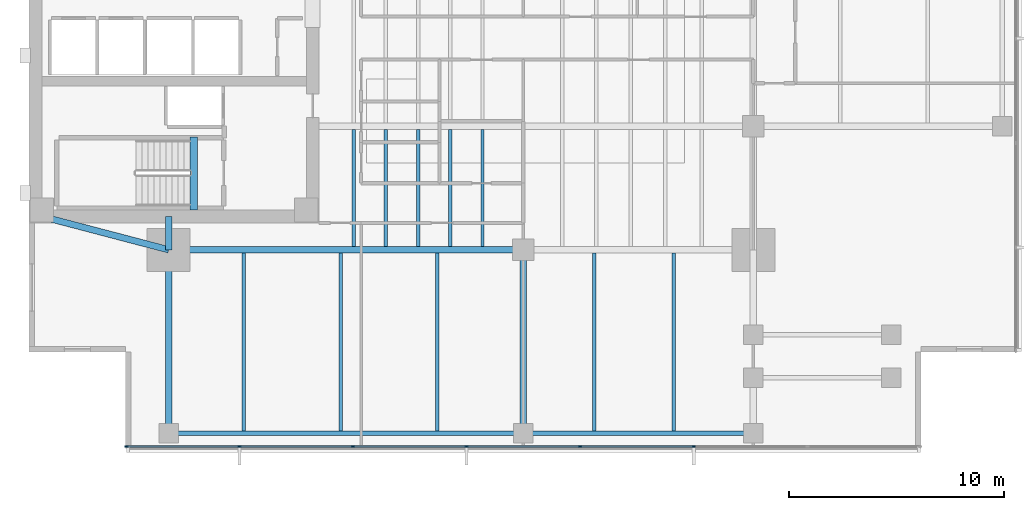
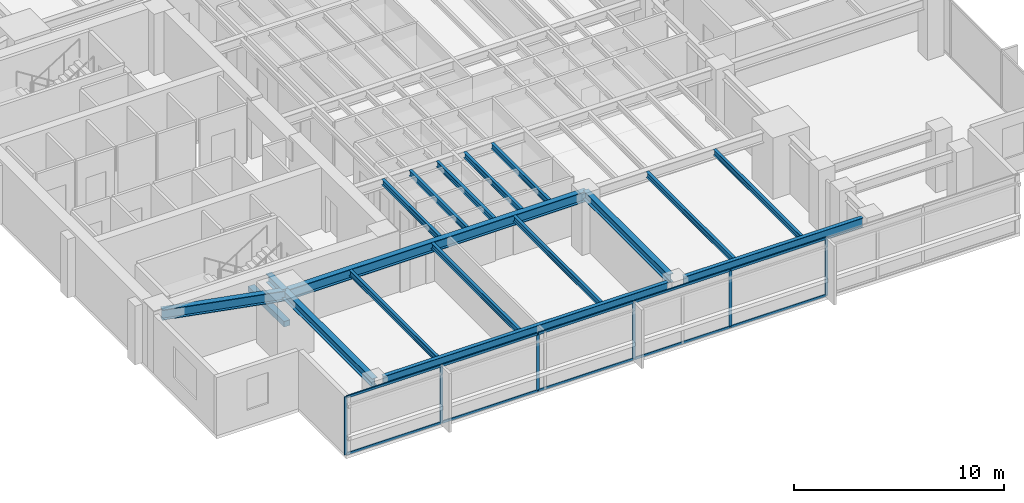
# One storey, part 2 of 14: 18 beams, 16 members, 1 element without a shape of its own.
"""IFC4 building model written with IfcOpenShell, lengths in metres."""

from ifc_helpers import new_model, si_unit, direction, frame, origin, origin_2d, place, context, subcontext, project, spatial, rectangle, i_section, extrude, material, layer, layer_set, material_profile, profile_set, type_object, element, aggregate, save


model = new_model("IFC4")

# Units and contexts
model_context = context("Model", 3, precision=1e-05, world=origin(), true_north=direction((0.0, 1.0)))
body_context = subcontext(model_context, "Body", "Model", "MODEL_VIEW")
ifc_project = project(units=[si_unit("LENGTHUNIT", "METRE"), si_unit("AREAUNIT", "SQUARE_METRE"), si_unit("VOLUMEUNIT", "CUBIC_METRE"), si_unit("PLANEANGLEUNIT", "RADIAN"), si_unit("MASSUNIT", "GRAM", prefix="KILO")], contexts=[model_context])

# Site, building, storey
site_placement = place(None, origin())
site = spatial("IfcSite", under=ifc_project, at=site_placement, CompositionType="ELEMENT")
building_placement = place(site_placement, origin())
building = spatial("IfcBuilding", under=site, at=building_placement, Name="Kinhvarn Gate Tower", CompositionType="ELEMENT")
storey_placement = place(building_placement, frame((0.0, 0.0, 166.14990234375)))
storey = spatial("IfcBuildingStorey", under=building, at=storey_placement, Name="L44", CompositionType="ELEMENT", Elevation=166.14990234375)

# Beam
ifc_material_1 = material(Name="Concrete C50/60", Category="concrete")
ifc_material_profile_1 = material_profile(ifc_material_1, rectangle(XDim=0.340087890625, YDim=0.320068359375, at=origin_2d()), Name="RC 340x320")
ifc_profile_set_1 = profile_set([ifc_material_profile_1], Name="Concrete C50/60")
beam_type_1 = type_object("IfcBeamType", Name="BM-LND-500", PredefinedType="BEAM", material=ifc_profile_set_1)
beam_1_placement = place(storey_placement, frame((12.1650390625, 14.60009765625, -0.159912109375), z_axis=(0.0, 1.0, 0.0), x_axis=(-1.0, 0.0, 0.0)))
element("IfcBeam", 1, at=beam_1_placement, inside=storey, type_object=beam_type_1, Name="Stair ST1 Landing Nosing Beam (L44)", PredefinedType="BEAM", context=body_context, shape_type="SweptSolid", body=[
    extrude(rectangle(XDim=0.340087890625, YDim=0.320068359375, at=origin_2d()), origin(), (0.0, 0.0, 1.0), 3.39990234375),
])

# Curtain wall, members
ifc_material_2 = material(Name="Anodised aluminium AW-6063", Category="aluminium")
ifc_layer = layer(ifc_material_2, 0.179931640625)
ifc_layer_set = layer_set([ifc_layer], Name="Anodised aluminium AW-6063")
curtain_wall_type = type_object("IfcCurtainWallType", Name="CW-SYS-3", PredefinedType="NOTDEFINED", material=ifc_layer_set)
curtain_wall_placement = place(storey_placement, origin())
curtain_wall = element("IfcCurtainWall", 2, at=curtain_wall_placement, inside=storey, type_object=curtain_wall_type, Name="Curtain Wall CW3 (L44)", PredefinedType="NOTDEFINED")
ifc_material_profile_2 = material_profile(ifc_material_2, rectangle(XDim=0.06494140625, YDim=0.159912109375, at=origin_2d()), Name="ALU 65x160")
ifc_profile_set_2 = profile_set([ifc_material_profile_2], Name="Anodised aluminium AW-6063")
member_type_1 = type_object("IfcMemberType", Name="CW-MUL-160", PredefinedType="MULLION", material=ifc_profile_set_2)
member_1_placement = place(storey_placement, frame((9.032470703125, 3.590087890625, 0.0), z_axis=(0.0, 0.0, 1.0), x_axis=(0.0, 1.0, 0.0)))
member_1 = element("IfcMember", 3, at=member_1_placement, type_object=member_type_1, Name="CW3 mullion 1", PredefinedType="MULLION", context=body_context, shape_type="SweptSolid", body=[
    extrude(rectangle(XDim=0.06494140625, YDim=0.159912109375, at=origin_2d()), origin(), (0.0, 0.0, 1.0), 3.3701171875),
])
member_2_placement = place(storey_placement, frame((14.28564453125, 3.590087890625, 0.0), z_axis=(0.0, 0.0, 1.0), x_axis=(0.0, 1.0, 0.0)))
member_2 = element("IfcMember", 4, at=member_2_placement, type_object=member_type_1, Name="CW3 mullion 2", PredefinedType="MULLION", context=body_context, shape_type="SweptSolid", body=[
    extrude(rectangle(XDim=0.06494140625, YDim=0.159912109375, at=origin_2d()), origin(), (0.0, 0.0, 1.0), 3.3701171875),
])
member_3_placement = place(storey_placement, frame((19.571533203125, 3.590087890625, 0.0), z_axis=(0.0, 0.0, 1.0), x_axis=(0.0, 1.0, 0.0)))
member_3 = element("IfcMember", 5, at=member_3_placement, type_object=member_type_1, Name="CW3 mullion 3", PredefinedType="MULLION", context=body_context, shape_type="SweptSolid", body=[
    extrude(rectangle(XDim=0.06494140625, YDim=0.159912109375, at=origin_2d()), origin(), (0.0, 0.0, 1.0), 3.3701171875),
])
member_4_placement = place(storey_placement, frame((24.857177734375, 3.590087890625, 0.0), z_axis=(0.0, 0.0, 1.0), x_axis=(0.0, 1.0, 0.0)))
member_4 = element("IfcMember", 6, at=member_4_placement, type_object=member_type_1, Name="CW3 mullion 4", PredefinedType="MULLION", context=body_context, shape_type="SweptSolid", body=[
    extrude(rectangle(XDim=0.06494140625, YDim=0.159912109375, at=origin_2d()), origin(), (0.0, 0.0, 1.0), 3.3701171875),
])
member_5_placement = place(storey_placement, frame((30.142822265625, 3.590087890625, 0.0), z_axis=(0.0, 0.0, 1.0), x_axis=(0.0, 1.0, 0.0)))
member_5 = element("IfcMember", 7, at=member_5_placement, type_object=member_type_1, Name="CW3 mullion 5", PredefinedType="MULLION", context=body_context, shape_type="SweptSolid", body=[
    extrude(rectangle(XDim=0.06494140625, YDim=0.159912109375, at=origin_2d()), origin(), (0.0, 0.0, 1.0), 3.3701171875),
])
member_6_placement = place(storey_placement, frame((35.428466796875, 3.590087890625, 0.0), z_axis=(0.0, 0.0, 1.0), x_axis=(0.0, 1.0, 0.0)))
member_6 = element("IfcMember", 8, at=member_6_placement, type_object=member_type_1, Name="CW3 mullion 6", PredefinedType="MULLION", context=body_context, shape_type="SweptSolid", body=[
    extrude(rectangle(XDim=0.06494140625, YDim=0.159912109375, at=origin_2d()), origin(), (0.0, 0.0, 1.0), 3.3701171875),
])
ifc_material_profile_3 = material_profile(ifc_material_2, rectangle(XDim=0.070068359375, YDim=0.139892578125, at=origin_2d()), Name="ALU 70x140")
ifc_profile_set_3 = profile_set([ifc_material_profile_3], Name="Anodised aluminium AW-6063")
member_type_2 = type_object("IfcMemberType", Name="CW-TRN-140", PredefinedType="USERDEFINED", material=ifc_profile_set_3)
member_7_placement = place(storey_placement, frame((9.06494140625, 3.590087890625, 0.03515625), z_axis=(1.0, 0.0, 0.0), x_axis=(0.0, 1.0, 0.0)))
member_7 = element("IfcMember", 9, at=member_7_placement, type_object=member_type_2, Name="CW3 transom 1.1", ObjectType="TRANSOM", PredefinedType="USERDEFINED", context=body_context, shape_type="SweptSolid", body=[
    extrude(rectangle(XDim=0.070068359375, YDim=0.139892578125, at=origin_2d()), origin(), (0.0, 0.0, 1.0), 5.188232421875),
])
member_8_placement = place(storey_placement, frame((9.06494140625, 3.590087890625, 3.335205078125), z_axis=(1.0, 0.0, 0.0), x_axis=(0.0, 1.0, 0.0)))
member_8 = element("IfcMember", 10, at=member_8_placement, type_object=member_type_2, Name="CW3 transom 1.2", ObjectType="TRANSOM", PredefinedType="USERDEFINED", context=body_context, shape_type="SweptSolid", body=[
    extrude(rectangle(XDim=0.070068359375, YDim=0.139892578125, at=origin_2d()), origin(), (0.0, 0.0, 1.0), 5.188232421875),
])
member_9_placement = place(storey_placement, frame((14.318115234375, 3.590087890625, 0.03515625), z_axis=(1.0, 0.0, 0.0), x_axis=(0.0, 1.0, 0.0)))
member_9 = element("IfcMember", 11, at=member_9_placement, type_object=member_type_2, Name="CW3 transom 2.1", ObjectType="TRANSOM", PredefinedType="USERDEFINED", context=body_context, shape_type="SweptSolid", body=[
    extrude(rectangle(XDim=0.070068359375, YDim=0.139892578125, at=origin_2d()), origin(), (0.0, 0.0, 1.0), 5.220703125),
])
member_10_placement = place(storey_placement, frame((14.318115234375, 3.590087890625, 3.335205078125), z_axis=(1.0, 0.0, 0.0), x_axis=(0.0, 1.0, 0.0)))
member_10 = element("IfcMember", 12, at=member_10_placement, type_object=member_type_2, Name="CW3 transom 2.2", ObjectType="TRANSOM", PredefinedType="USERDEFINED", context=body_context, shape_type="SweptSolid", body=[
    extrude(rectangle(XDim=0.070068359375, YDim=0.139892578125, at=origin_2d()), origin(), (0.0, 0.0, 1.0), 5.220703125),
])
member_11_placement = place(storey_placement, frame((19.60400390625, 3.590087890625, 0.03515625), z_axis=(1.0, 0.0, 0.0), x_axis=(0.0, 1.0, 0.0)))
member_11 = element("IfcMember", 13, at=member_11_placement, type_object=member_type_2, Name="CW3 transom 3.1", ObjectType="TRANSOM", PredefinedType="USERDEFINED", context=body_context, shape_type="SweptSolid", body=[
    extrude(rectangle(XDim=0.070068359375, YDim=0.139892578125, at=origin_2d()), origin(), (0.0, 0.0, 1.0), 5.220703125),
])
member_12_placement = place(storey_placement, frame((19.60400390625, 3.590087890625, 3.335205078125), z_axis=(1.0, 0.0, 0.0), x_axis=(0.0, 1.0, 0.0)))
member_12 = element("IfcMember", 14, at=member_12_placement, type_object=member_type_2, Name="CW3 transom 3.2", ObjectType="TRANSOM", PredefinedType="USERDEFINED", context=body_context, shape_type="SweptSolid", body=[
    extrude(rectangle(XDim=0.070068359375, YDim=0.139892578125, at=origin_2d()), origin(), (0.0, 0.0, 1.0), 5.220703125),
])
member_13_placement = place(storey_placement, frame((24.8896484375, 3.590087890625, 0.03515625), z_axis=(1.0, 0.0, 0.0), x_axis=(0.0, 1.0, 0.0)))
member_13 = element("IfcMember", 15, at=member_13_placement, type_object=member_type_2, Name="CW3 transom 4.1", ObjectType="TRANSOM", PredefinedType="USERDEFINED", context=body_context, shape_type="SweptSolid", body=[
    extrude(rectangle(XDim=0.070068359375, YDim=0.139892578125, at=origin_2d()), origin(), (0.0, 0.0, 1.0), 5.220703125),
])
member_14_placement = place(storey_placement, frame((24.8896484375, 3.590087890625, 3.335205078125), z_axis=(1.0, 0.0, 0.0), x_axis=(0.0, 1.0, 0.0)))
member_14 = element("IfcMember", 16, at=member_14_placement, type_object=member_type_2, Name="CW3 transom 4.2", ObjectType="TRANSOM", PredefinedType="USERDEFINED", context=body_context, shape_type="SweptSolid", body=[
    extrude(rectangle(XDim=0.070068359375, YDim=0.139892578125, at=origin_2d()), origin(), (0.0, 0.0, 1.0), 5.220703125),
])
member_15_placement = place(storey_placement, frame((30.17529296875, 3.590087890625, 0.03515625), z_axis=(1.0, 0.0, 0.0), x_axis=(0.0, 1.0, 0.0)))
member_15 = element("IfcMember", 17, at=member_15_placement, type_object=member_type_2, Name="CW3 transom 5.1", ObjectType="TRANSOM", PredefinedType="USERDEFINED", context=body_context, shape_type="SweptSolid", body=[
    extrude(rectangle(XDim=0.070068359375, YDim=0.139892578125, at=origin_2d()), origin(), (0.0, 0.0, 1.0), 5.220703125),
])
member_16_placement = place(storey_placement, frame((30.17529296875, 3.590087890625, 3.335205078125), z_axis=(1.0, 0.0, 0.0), x_axis=(0.0, 1.0, 0.0)))
member_16 = element("IfcMember", 18, at=member_16_placement, type_object=member_type_2, Name="CW3 transom 5.2", ObjectType="TRANSOM", PredefinedType="USERDEFINED", context=body_context, shape_type="SweptSolid", body=[
    extrude(rectangle(XDim=0.070068359375, YDim=0.139892578125, at=origin_2d()), origin(), (0.0, 0.0, 1.0), 5.220703125),
])
aggregate(curtain_wall, [member_1, member_2, member_3, member_4, member_5, member_6, member_7, member_8, member_9, member_10, member_11, member_12, member_13, member_14, member_15, member_16])

# Beams
ifc_material_3 = material(Name="Steel S355", Category="steel")
ifc_material_profile_4 = material_profile(ifc_material_3, i_section(OverallWidth=0.300048828125, OverallDepth=0.5, WebThickness=0.014404296875, FlangeThickness=0.028076171875, at=origin_2d()), Name="HEB 500")
ifc_profile_set_4 = profile_set([ifc_material_profile_4], Name="Steel S355")
beam_type_2 = type_object("IfcBeamType", Name="STL-HEB500", PredefinedType="BEAM", material=ifc_profile_set_4)
beam_2_placement = place(storey_placement, frame((11.0, 4.219970703125, 3.1201171875), z_axis=(0.0, 1.0, 0.0), x_axis=(-1.0, 0.0, 0.0)))
element("IfcBeam", 19, at=beam_2_placement, inside=storey, type_object=beam_type_2, Name="Floor Beam PG-14 (L44 MCW-S)", PredefinedType="BEAM", context=body_context, shape_type="SweptSolid", body=[
    extrude(i_section(OverallWidth=0.300048828125, OverallDepth=0.5, WebThickness=0.014404296875, FlangeThickness=0.028076171875, at=origin_2d()), origin(), (0.0, 0.0, 1.0), 8.530029296875),
])
beam_3_placement = place(storey_placement, frame((11.0, 12.75, 3.1201171875), z_axis=(0.0, 1.0, 0.0), x_axis=(-1.0, 0.0, 0.0)))
element("IfcBeam", 20, at=beam_3_placement, inside=storey, type_object=beam_type_2, Name="Floor Beam PG-14 (L44 MCW-CS)", PredefinedType="BEAM", context=body_context, shape_type="SweptSolid", body=[
    extrude(i_section(OverallWidth=0.300048828125, OverallDepth=0.5, WebThickness=0.014404296875, FlangeThickness=0.028076171875, at=origin_2d()), origin(), (0.0, 0.0, 1.0), 1.550048828125),
])
beam_4_placement = place(storey_placement, frame((27.5, 4.655029296875, 3.1201171875), z_axis=(0.0, 1.0, 0.0), x_axis=(-1.0, 0.0, 0.0)))
element("IfcBeam", 21, at=beam_4_placement, inside=storey, type_object=beam_type_2, Name="Floor Beam PG-14 (L44 SP27-S-TIE)", PredefinedType="BEAM", context=body_context, shape_type="SweptSolid", body=[
    extrude(i_section(OverallWidth=0.300048828125, OverallDepth=0.5, WebThickness=0.014404296875, FlangeThickness=0.028076171875, at=origin_2d()), origin(), (0.0, 0.0, 1.0), 8.094970703125),
])
ifc_material_profile_5 = material_profile(ifc_material_3, i_section(OverallWidth=0.300048828125, OverallDepth=0.60009765625, WebThickness=0.015380859375, FlangeThickness=0.030029296875, at=origin_2d()), Name="HEB 600")
ifc_profile_set_5 = profile_set([ifc_material_profile_5], Name="Steel S355")
beam_type_3 = type_object("IfcBeamType", Name="STL-HEB600", PredefinedType="BEAM", material=ifc_profile_set_5)
beam_5_placement = place(storey_placement, frame((11.0, 12.75, 3.070068359375), z_axis=(1.0, 0.0, 0.0), x_axis=(0.0, 1.0, 0.0)))
element("IfcBeam", 22, at=beam_5_placement, inside=storey, type_object=beam_type_3, Name="Floor Beam PG-16 (L44 MG-S1)", PredefinedType="BEAM", context=body_context, shape_type="SweptSolid", body=[
    extrude(i_section(OverallWidth=0.300048828125, OverallDepth=0.60009765625, WebThickness=0.015380859375, FlangeThickness=0.030029296875, at=origin_2d()), origin(), (0.0, 0.0, 1.0), 16.5),
])
beam_6_placement = place(storey_placement, frame((5.10009765625, 14.300048828125, 3.070068359375), z_axis=(0.967177623957, -0.254101246979, 0.0), x_axis=(0.254101246979, 0.967177623957, 0.0)))
element("IfcBeam", 23, at=beam_6_placement, inside=storey, type_object=beam_type_3, Name="Floor Beam PG-16 (L44 MG-SW-DIAG)", PredefinedType="BEAM", context=body_context, shape_type="SweptSolid", body=[
    extrude(i_section(OverallWidth=0.300048828125, OverallDepth=0.60009765625, WebThickness=0.015380859375, FlangeThickness=0.030029296875, at=origin_2d()), origin(), (0.0, 0.0, 1.0), 6.10009765625),
])
ifc_material_profile_6 = material_profile(ifc_material_3, i_section(OverallWidth=0.159912109375, OverallDepth=0.330078125, WebThickness=0.007568359375, FlangeThickness=0.011474609375, at=origin_2d()), Name="IPE 330")
ifc_profile_set_6 = profile_set([ifc_material_profile_6], Name="Steel S355")
beam_type_4 = type_object("IfcBeamType", Name="STL-IPE330", PredefinedType="JOIST", material=ifc_profile_set_6)
for number, where, z_axis, x_axis, name in (
    (24, (19.60009765625, 12.89990234375, 3.205078125), (0.0, 1.0, 0.0), (-1.0, 0.0, 0.0), "Floor Joist SB-03 (L44 JC-X196-0)"),
    (25, (21.10009765625, 12.89990234375, 3.205078125), (0.0, 1.0, 0.0), (-1.0, 0.0, 0.0), "Floor Joist SB-03 (L44 JC-X211-0)"),
    (26, (22.60009765625, 12.89990234375, 3.205078125), (0.0, 1.0, 0.0), (-1.0, 0.0, 0.0), "Floor Joist SB-03 (L44 JC-X226-0)"),
    (27, (24.10009765625, 12.89990234375, 3.205078125), (0.0, 1.0, 0.0), (-1.0, 0.0, 0.0), "Floor Joist SB-03 (L44 JC-X241-0)"),
    (28, (25.60009765625, 12.89990234375, 3.205078125), (0.0, 1.0, 0.0), (-1.0, 0.0, 0.0), "Floor Joist SB-03 (L44 JC-X256-0)"),
):
    element("IfcBeam", number, at=place(storey_placement, frame(where, z_axis=z_axis, x_axis=x_axis)), inside=storey, type_object=beam_type_4, Name=name, PredefinedType="JOIST", context=body_context, shape_type="SweptSolid", body=[
        extrude(i_section(OverallWidth=0.159912109375, OverallDepth=0.330078125, WebThickness=0.007568359375, FlangeThickness=0.011474609375, at=origin_2d()), origin(), (0.0, 0.0, 1.0), 5.4501953125),
    ])
for number, where, z_axis, x_axis, name in (
    (29, (14.5, 4.324951171875, 3.205078125), (0.0, 1.0, 0.0), (-1.0, 0.0, 0.0), "Floor Joist SB-03 (L44 JS-X145)"),
    (30, (19.0, 4.324951171875, 3.205078125), (0.0, 1.0, 0.0), (-1.0, 0.0, 0.0), "Floor Joist SB-03 (L44 JS-X190)"),
    (31, (23.5, 4.324951171875, 3.205078125), (0.0, 1.0, 0.0), (-1.0, 0.0, 0.0), "Floor Joist SB-03 (L44 JS-X235)"),
    (32, (30.800048828125, 4.324951171875, 3.205078125), (0.0, 1.0, 0.0), (-1.0, 0.0, 0.0), "Floor Joist SB-03 (L44 JS-X308)"),
    (33, (34.5, 4.324951171875, 3.205078125), (0.0, 1.0, 0.0), (-1.0, 0.0, 0.0), "Floor Joist SB-03 (L44 JS-X345)"),
):
    element("IfcBeam", number, at=place(storey_placement, frame(where, z_axis=z_axis, x_axis=x_axis)), inside=storey, type_object=beam_type_4, Name=name, PredefinedType="JOIST", context=body_context, shape_type="SweptSolid", body=[
        extrude(i_section(OverallWidth=0.159912109375, OverallDepth=0.330078125, WebThickness=0.007568359375, FlangeThickness=0.011474609375, at=origin_2d()), origin(), (0.0, 0.0, 1.0), 8.275146484375),
    ])
ifc_material_profile_7 = material_profile(ifc_material_3, i_section(OverallWidth=0.2099609375, OverallDepth=0.550048828125, WebThickness=0.010986328125, FlangeThickness=0.01708984375, at=origin_2d()), Name="IPE 550")
ifc_profile_set_7 = profile_set([ifc_material_profile_7], Name="Steel S355")
beam_type_5 = type_object("IfcBeamType", Name="STL-IPE550", PredefinedType="SPANDREL", material=ifc_profile_set_7)
beam_7_placement = place(storey_placement, frame((11.43505859375, 4.219970703125, 3.09521484375), z_axis=(1.0, 0.0, 0.0), x_axis=(0.0, 1.0, 0.0)))
element("IfcBeam", 34, at=beam_7_placement, inside=storey, type_object=beam_type_5, Name="Floor Spandrel SB-08 (L44 SP-S1)", PredefinedType="SPANDREL", context=body_context, shape_type="SweptSolid", body=[
    extrude(i_section(OverallWidth=0.2099609375, OverallDepth=0.550048828125, WebThickness=0.010986328125, FlangeThickness=0.01708984375, at=origin_2d()), origin(), (0.0, 0.0, 1.0), 15.6298828125),
])
beam_8_placement = place(storey_placement, frame((27.93505859375, 4.219970703125, 3.09521484375), z_axis=(1.0, 0.0, 0.0), x_axis=(0.0, 1.0, 0.0)))
element("IfcBeam", 35, at=beam_8_placement, inside=storey, type_object=beam_type_5, Name="Floor Spandrel SB-08 (L44 SP-S2)", PredefinedType="SPANDREL", context=body_context, shape_type="SweptSolid", body=[
    extrude(i_section(OverallWidth=0.2099609375, OverallDepth=0.550048828125, WebThickness=0.010986328125, FlangeThickness=0.01708984375, at=origin_2d()), origin(), (0.0, 0.0, 1.0), 9.829833984375),
])

save(model, "model.ifc")
